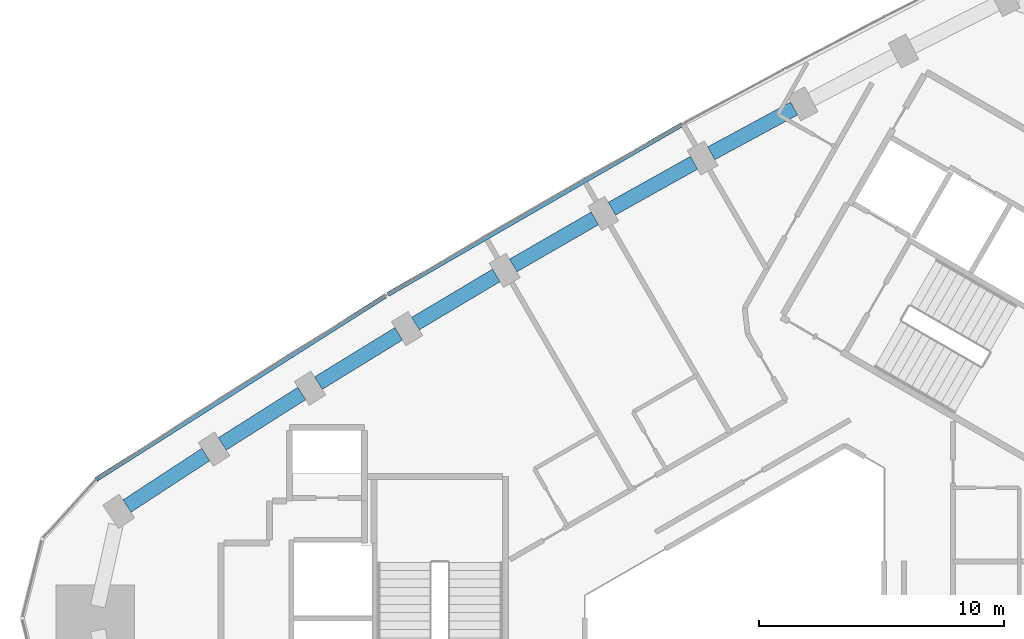
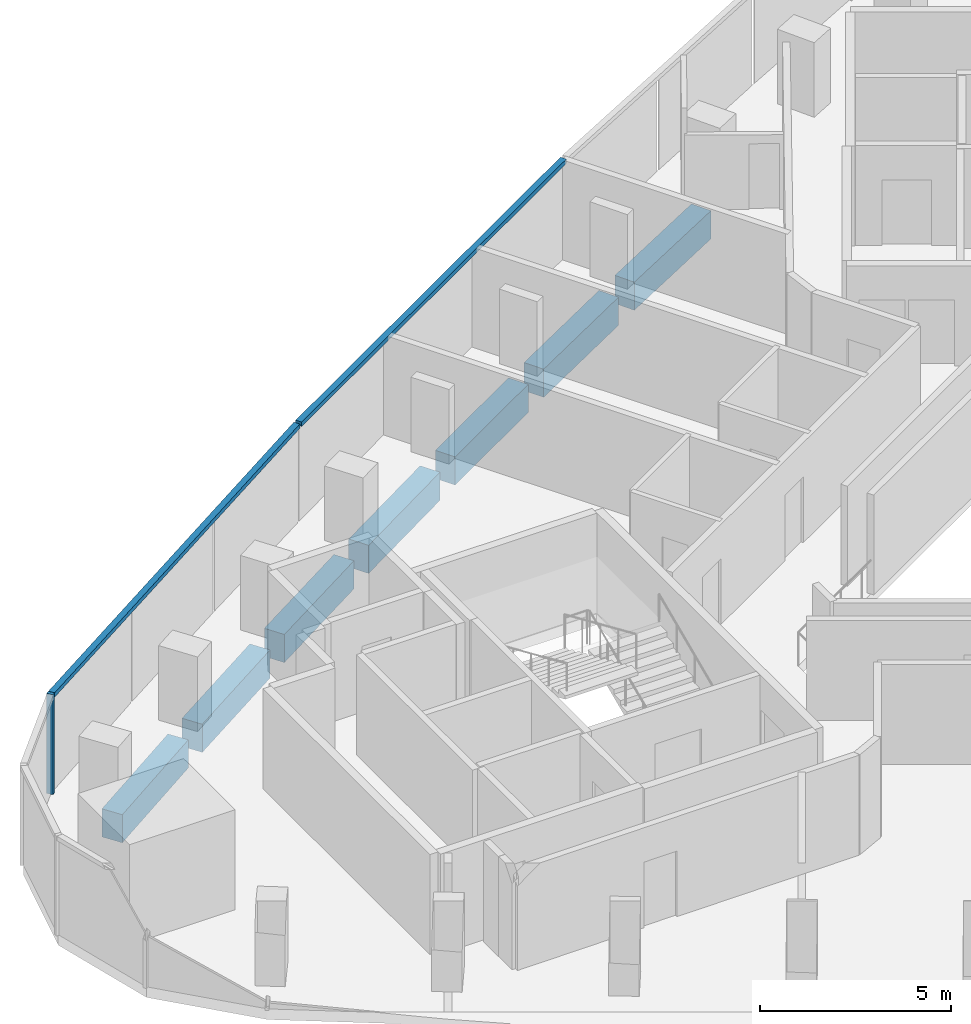
# One storey, part 4 of 11: 7 beams, 3 members, 1 element without a shape of its own.
"""IFC4 building model written with IfcOpenShell, lengths in metres."""

from ifc_helpers import new_model, si_unit, direction, frame, origin, origin_2d, place, context, subcontext, project, spatial, rectangle, extrude, material, material_profile, profile_set, type_object, element, aggregate, save


model = new_model("IFC4")

# Units and contexts
model_context = context("Model", 3, precision=1e-05, world=origin(), true_north=direction((0.0, 1.0)))
body_context = subcontext(model_context, "Body", "Model", "MODEL_VIEW")
ifc_project = project(units=[si_unit("LENGTHUNIT", "METRE"), si_unit("AREAUNIT", "SQUARE_METRE"), si_unit("VOLUMEUNIT", "CUBIC_METRE"), si_unit("PLANEANGLEUNIT", "RADIAN"), si_unit("MASSUNIT", "GRAM", prefix="KILO")], contexts=[model_context])

# Site, building, storey
site_placement = place(None, origin())
site = spatial("IfcSite", under=ifc_project, at=site_placement, CompositionType="ELEMENT")
building_placement = place(site_placement, origin())
building = spatial("IfcBuilding", under=site, at=building_placement, Name="Tamra Quay Hotel Tower", CompositionType="ELEMENT")
storey_placement = place(building_placement, frame((0.0, 0.0, 208.0)))
storey = spatial("IfcBuildingStorey", under=building, at=storey_placement, Name="L52", CompositionType="ELEMENT", Elevation=208.0)

# Curtain wall, member
ifc_material_1 = material(Name="Aluminium 6063 anodised dark grey", Category="aluminium")
curtain_wall_type = type_object("IfcCurtainWallType", Name="CW2 CURTAIN WALL", PredefinedType="NOTDEFINED", material=ifc_material_1)
curtain_wall_placement = place(storey_placement, origin())
curtain_wall = element("IfcCurtainWall", 1, at=curtain_wall_placement, inside=storey, type_object=curtain_wall_type, Name="CW2 north-west face L52", PredefinedType="NOTDEFINED")
ifc_material_profile_1 = material_profile(ifc_material_1, rectangle(XDim=0.179931640625, YDim=0.10009765625, at=origin_2d()), Name="MULLION 100X180")
ifc_profile_set_1 = profile_set([ifc_material_profile_1], Name="Aluminium 6063 anodised dark grey")
member_type_1 = type_object("IfcMemberType", Name="MULLION CW2 Z4", PredefinedType="MULLION", material=ifc_profile_set_1)
member_1_placement = place(storey_placement, frame((-27.48046875, 5.687255859375, 0.0), z_axis=(0.0, 0.0, 1.0), x_axis=(-0.648381346761, 0.7613157224, 0.0)))
member_1 = element("IfcMember", 2, at=member_1_placement, type_object=member_type_1, Name="CW2 mullion L52.NW.10", PredefinedType="MULLION", context=body_context, shape_type="SweptSolid", body=[
    extrude(rectangle(XDim=0.179931640625, YDim=0.10009765625, at=origin_2d()), origin(), (0.0, 0.0, 1.0), 3.199951171875),
])

# Beams
ifc_material_2 = material(Name="Concrete M60", Category="concrete")
ifc_material_profile_2 = material_profile(ifc_material_2, rectangle(XDim=0.60009765625, YDim=0.89990234375, at=origin_2d()), Name="SPANDREL BEAM RC 600x900")
ifc_profile_set_2 = profile_set([ifc_material_profile_2], Name="Concrete M60")
beam_type = type_object("IfcBeamType", Name="SPANDREL BEAM RC 600x900", PredefinedType="SPANDREL", material=ifc_profile_set_2)
beam_1_placement = place(storey_placement, frame((0.927490234375, 20.77783203125, -0.800048828125), z_axis=(-0.879589264525, -0.475733881211, 0.0), x_axis=(0.475733881211, -0.879589264525, 0.0)))
element("IfcBeam", 3, at=beam_1_placement, inside=storey, type_object=beam_type, Name="BM-SP4-013-L52", PredefinedType="SPANDREL", context=body_context, shape_type="SweptSolid", body=[
    extrude(rectangle(XDim=0.60009765625, YDim=0.89990234375, at=origin_2d()), origin(), (0.0, 0.0, 1.0), 3.838134765625),
])
for number, where, z_axis, x_axis, name in (
    (4, (-3.1494140625, 18.56640625, -0.800048828125), (-0.872890885292, -0.487915466422, 0.0), (0.487915466422, -0.872890885292, 0.0), "BM-SP4-014-L52"),
    (5, (-7.194580078125, 16.298828125, -0.800048828125), (-0.866022424722, -0.500005159851, 0.0), (0.500005159851, -0.866022424722, 0.0), "BM-SP4-015-L52"),
):
    element("IfcBeam", number, at=place(storey_placement, frame(where, z_axis=z_axis, x_axis=x_axis)), inside=storey, type_object=beam_type, Name=name, PredefinedType="SPANDREL", context=body_context, shape_type="SweptSolid", body=[
        extrude(rectangle(XDim=0.60009765625, YDim=0.89990234375, at=origin_2d()), origin(), (0.0, 0.0, 1.0), 3.83740234375),
    ])
beam_2_placement = place(storey_placement, frame((-11.2080078125, 13.975341796875, -0.800048828125), z_axis=(-0.858982487636, -0.512004966708, 0.0), x_axis=(0.512004966708, -0.858982487636, 0.0)))
element("IfcBeam", 6, at=beam_2_placement, inside=storey, type_object=beam_type, Name="BM-SP4-016-L52", PredefinedType="SPANDREL", context=body_context, shape_type="SweptSolid", body=[
    extrude(rectangle(XDim=0.60009765625, YDim=0.89990234375, at=origin_2d()), origin(), (0.0, 0.0, 1.0), 3.837646484375),
])
beam_3_placement = place(storey_placement, frame((-15.188720703125, 11.59619140625, -0.800048828125), z_axis=(-0.851817714835, -0.523838315411, 0.0), x_axis=(0.523838315411, -0.851817714835, 0.0)))
element("IfcBeam", 7, at=beam_3_placement, inside=storey, type_object=beam_type, Name="BM-SP4-017-L52", PredefinedType="SPANDREL", context=body_context, shape_type="SweptSolid", body=[
    extrude(rectangle(XDim=0.60009765625, YDim=0.89990234375, at=origin_2d()), origin(), (0.0, 0.0, 1.0), 3.837890625),
])
for number, where, z_axis, x_axis, name in (
    (8, (-19.136474609375, 9.162109375, -0.800048828125), (-0.844469978785, -0.535602889211, 0.0), (0.535602889211, -0.844469978785, 0.0), "BM-SP4-018-L52"),
    (9, (-23.0498046875, 6.673583984375, -0.800048828125), (-0.836969613974, -0.547249362983, 0.0), (0.547249362983, -0.836969613974, 0.0), "BM-SP4-019-L52"),
):
    element("IfcBeam", number, at=place(storey_placement, frame(where, z_axis=z_axis, x_axis=x_axis)), inside=storey, type_object=beam_type, Name=name, PredefinedType="SPANDREL", context=body_context, shape_type="SweptSolid", body=[
        extrude(rectangle(XDim=0.60009765625, YDim=0.89990234375, at=origin_2d()), origin(), (0.0, 0.0, 1.0), 3.837646484375),
    ])

# Member
ifc_material_profile_3 = material_profile(ifc_material_1, rectangle(XDim=0.179931640625, YDim=0.139892578125, at=origin_2d()), Name="TRANSOM 180X140")
ifc_profile_set_3 = profile_set([ifc_material_profile_3], Name="Aluminium 6063 anodised dark grey")
member_type_2 = type_object("IfcMemberType", Name="TRANSOM CW2 Z4", PredefinedType="USERDEFINED", material=ifc_profile_set_3)
member_2_placement = place(storey_placement, frame((-3.614013671875, 20.138671875, 3.1298828125), z_axis=(-0.866018612845, -0.500011762068, 0.0), x_axis=(0.500011762068, -0.866018612845, 0.0)))
member_2 = element("IfcMember", 10, at=member_2_placement, type_object=member_type_2, Name="CW2 transom L52.NW.4", ObjectType="TRANSOM", PredefinedType="USERDEFINED", context=body_context, shape_type="SweptSolid", body=[
    extrude(rectangle(XDim=0.179931640625, YDim=0.139892578125, at=origin_2d()), origin(), (0.0, 0.0, 1.0), 13.879150390625),
])

member_3_placement = place(storey_placement, frame((-15.718994140625, 13.147216796875, 3.1298828125), z_axis=(-0.844484125962, -0.535580583105, 0.0), x_axis=(0.535580583105, -0.844484125962, 0.0)))
member_3 = element("IfcMember", 11, at=member_3_placement, type_object=member_type_2, Name="CW2 transom L52.NW.7", ObjectType="TRANSOM", PredefinedType="USERDEFINED", context=body_context, shape_type="SweptSolid", body=[
    extrude(rectangle(XDim=0.179931640625, YDim=0.139892578125, at=origin_2d()), origin(), (0.0, 0.0, 1.0), 13.877685546875),
])

aggregate(curtain_wall, [member_2, member_3, member_1])

save(model, "model.ifc")
